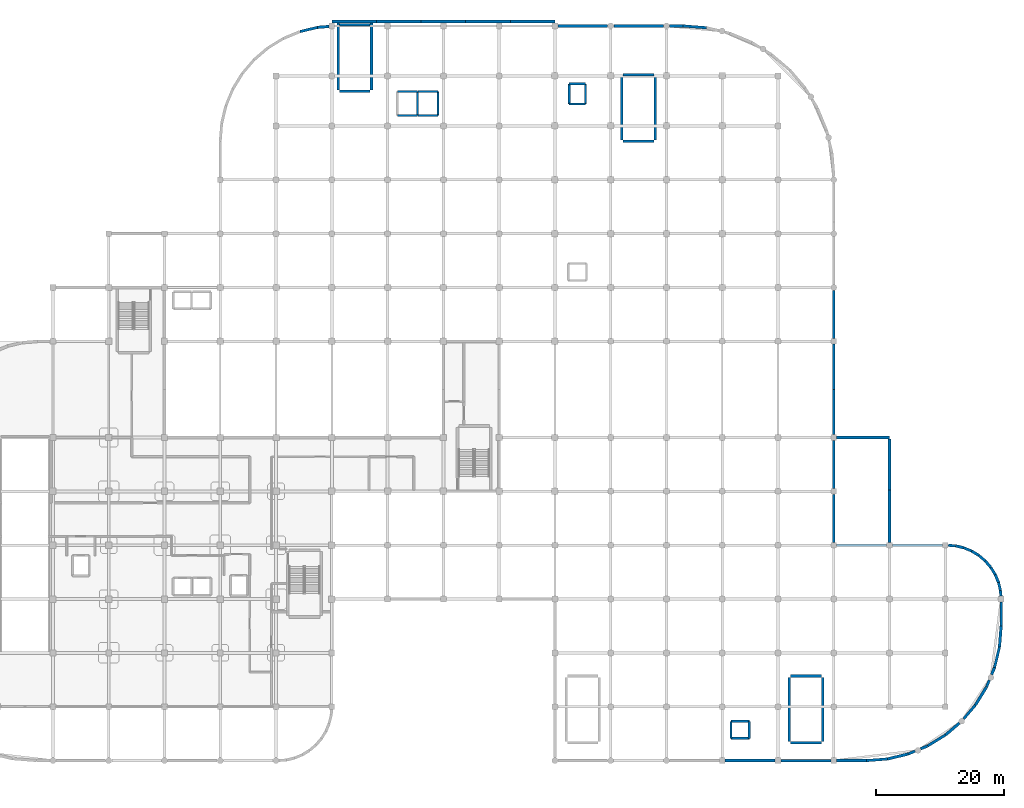
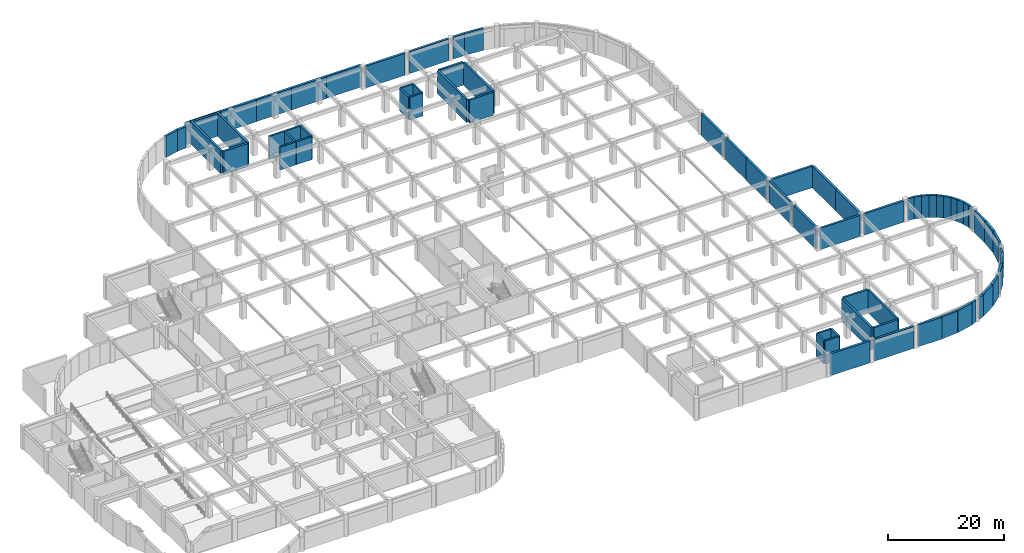
# One storey, part 14 of 19: 73 walls.
"""IFC4 building model written with IfcOpenShell, lengths in metres."""

from ifc_helpers import new_model, si_unit, derived_unit, direction, frame, frame_2d, origin, place, context, subcontext, project, spatial, rectangle, extrude, material, layer, layer_set, type_object, element, save


model = new_model("IFC4")

# Units and contexts
model_context = context("Model", 3, precision=1e-05, world=origin(), true_north=direction((0.0, 1.0)))
body_context = subcontext(model_context, "Body", "Model", "MODEL_VIEW")
ifc_project = project(units=[si_unit("LENGTHUNIT", "METRE"), si_unit("AREAUNIT", "SQUARE_METRE"), si_unit("VOLUMEUNIT", "CUBIC_METRE"), si_unit("PLANEANGLEUNIT", "RADIAN"), si_unit("MASSUNIT", "GRAM", prefix="KILO"), derived_unit("THERMALTRANSMITTANCEUNIT", [(si_unit("MASSUNIT", "GRAM", prefix="KILO"), 1), (si_unit("TIMEUNIT", "SECOND"), -3), (si_unit("THERMODYNAMICTEMPERATUREUNIT", "KELVIN"), -1)])], contexts=[model_context])

# Site, building, storey
site_placement = place(None, origin())
site = spatial("IfcSite", under=ifc_project, at=site_placement, CompositionType="ELEMENT")
building_placement = place(site_placement, origin())
building = spatial("IfcBuilding", under=site, at=building_placement, Name="Qinzheling Arcade Emporium", CompositionType="ELEMENT")
storey_placement = place(building_placement, frame((0.0, 0.0, -4.800048828125)))
storey = spatial("IfcBuildingStorey", under=building, at=storey_placement, Name="B1", CompositionType="ELEMENT", Elevation=-4.800048828125)

# Walls
ifc_material_1 = material(Name="Concrete C40", Category="concrete")
ifc_layer_1 = layer(ifc_material_1, 0.419921875, Name="Concrete C40", Category="concrete")
ifc_layer_set_1 = layer_set([ifc_layer_1], Name="Concrete C40")
wall_type_1 = type_object("IfcWallType", Name="Basement Ramp Retaining Wall 420 C40", PredefinedType="USERDEFINED", material=ifc_layer_set_1)
wall_1_placement = place(storey_placement, frame((64.637939453125, 113.718994140625, 0.0), z_axis=(0.0, 0.0, 1.0), x_axis=(0.972397502496, 0.233330446234, 0.0)))
element("IfcWall", 1, at=wall_1_placement, inside=storey, type_object=wall_type_1, Name="Retaining Wall WL-B1-RW-228", ObjectType="RETAININGWALL", PredefinedType="USERDEFINED", context=body_context, shape_type="SweptSolid", body=[
    extrude(rectangle(XDim=2.823974609375, YDim=0.419921875, at=frame_2d((1.412109375, 0.0))), origin(), (0.0, 0.0, 1.0), 4.4599609375),
])
wall_2_placement = place(storey_placement, frame((69.60009765625, 115.300048828125, 0.0), z_axis=(0.0, 0.0, 1.0), x_axis=(1.0, 0.0, 0.0)))
element("IfcWall", 2, at=wall_2_placement, inside=storey, type_object=wall_type_1, Name="Retaining Wall WL-B1-RW-230", ObjectType="RETAININGWALL", PredefinedType="USERDEFINED", context=body_context, shape_type="SweptSolid", body=[
    extrude(rectangle(XDim=6.9580078125, YDim=0.419921875, at=frame_2d((3.47900390625, 0.0))), origin(), (0.0, 0.0, 1.0), 4.580078125),
])
wall_3_placement = place(storey_placement, frame((83.52197265625, 115.300048828125, 0.0), z_axis=(0.0, 0.0, 1.0), x_axis=(1.0, 0.0, 0.0)))
element("IfcWall", 3, at=wall_3_placement, inside=storey, type_object=wall_type_1, Name="Retaining Wall WL-B1-RW-232", ObjectType="RETAININGWALL", PredefinedType="USERDEFINED", context=body_context, shape_type="SweptSolid", body=[
    extrude(rectangle(XDim=6.9560546875, YDim=0.419921875, at=frame_2d((3.47802734375, 0.0))), origin(), (0.0, 0.0, 1.0), 4.580078125),
])
wall_4_placement = place(storey_placement, frame((97.44189453125, 115.300048828125, 0.0), z_axis=(0.0, 0.0, 1.0), x_axis=(1.0, 0.0, 0.0)))
element("IfcWall", 4, at=wall_4_placement, inside=storey, type_object=wall_type_1, Name="Retaining Wall WL-B1-RW-234", ObjectType="RETAININGWALL", PredefinedType="USERDEFINED", context=body_context, shape_type="SweptSolid", body=[
    extrude(rectangle(XDim=6.9580078125, YDim=0.419921875, at=frame_2d((3.47900390625, 0.0))), origin(), (0.0, 0.0, 1.0), 4.580078125),
])
wall_5_placement = place(storey_placement, frame((113.576904296875, 114.60009765625, 0.0), z_axis=(0.0, 0.0, 1.0), x_axis=(1.0, 0.0, 0.0)))
element("IfcWall", 5, at=wall_5_placement, inside=storey, type_object=wall_type_1, Name="Retaining Wall WL-B1-RW-236", ObjectType="RETAININGWALL", PredefinedType="USERDEFINED", context=body_context, shape_type="SweptSolid", body=[
    extrude(rectangle(XDim=7.74609375, YDim=0.419921875, at=frame_2d((3.873046875, 0.0))), origin(), (0.0, 0.0, 1.0), 4.580078125),
])
wall_6_placement = place(storey_placement, frame((124.39990234375, 114.60009765625, 0.0), z_axis=(0.0, 0.0, 1.0), x_axis=(0.996922570338, -0.078392529938, 0.0)))
element("IfcWall", 6, at=wall_6_placement, inside=storey, type_object=wall_type_1, Name="Retaining Wall WL-B1-RW-238", ObjectType="RETAININGWALL", PredefinedType="USERDEFINED", context=body_context, shape_type="SweptSolid", body=[
    extrude(rectangle(XDim=3.687255859375, YDim=0.419921875, at=frame_2d((1.84375, 0.0))), origin(), (0.0, 0.0, 1.0), 4.580078125),
])
wall_7_placement = place(storey_placement, frame((147.89990234375, 64.947998046875, 0.0), z_axis=(0.0, 0.0, 1.0), x_axis=(0.0, -1.0, 0.0)))
element("IfcWall", 7, at=wall_7_placement, inside=storey, type_object=wall_type_1, Name="Retaining Wall WL-B1-RW-256", ObjectType="RETAININGWALL", PredefinedType="USERDEFINED", context=body_context, shape_type="SweptSolid", body=[
    extrude(rectangle(XDim=7.0458984375, YDim=0.419921875, at=frame_2d((3.52294921875, 0.0))), origin(), (0.0, 0.0, 1.0), 4.580078125),
])
wall_8_placement = place(storey_placement, frame((147.89990234375, 49.947998046875, 0.0), z_axis=(0.0, 0.0, 1.0), x_axis=(0.0, -1.0, 0.0)))
element("IfcWall", 8, at=wall_8_placement, inside=storey, type_object=wall_type_1, Name="Retaining Wall WL-B1-RW-258", ObjectType="RETAININGWALL", PredefinedType="USERDEFINED", context=body_context, shape_type="SweptSolid", body=[
    extrude(rectangle(XDim=7.49609375, YDim=0.419921875, at=frame_2d((3.748046875, 0.0))), origin(), (0.0, 0.0, 1.0), 4.580078125),
])
wall_9_placement = place(storey_placement, frame((148.35205078125, 33.60009765625, 0.0), z_axis=(0.0, 0.0, 1.0), x_axis=(1.0, 0.0, 0.0)))
element("IfcWall", 9, at=wall_9_placement, inside=storey, type_object=wall_type_1, Name="Retaining Wall WL-B1-RW-260", ObjectType="RETAININGWALL", PredefinedType="USERDEFINED", context=body_context, shape_type="SweptSolid", body=[
    extrude(rectangle(XDim=7.7958984375, YDim=0.419921875, at=frame_2d((3.89794921875, 0.0))), origin(), (0.0, 0.0, 1.0), 4.4599609375),
])
wall_10_placement = place(storey_placement, frame((165.751953125, 33.587890625, 0.0), z_axis=(0.0, 0.0, 1.0), x_axis=(0.996960108053, -0.077913689117, 0.0)))
element("IfcWall", 10, at=wall_10_placement, inside=storey, type_object=wall_type_1, Name="Retaining Wall WL-B1-RW-262", ObjectType="RETAININGWALL", PredefinedType="USERDEFINED", context=body_context, shape_type="SweptSolid", body=[
    extrude(rectangle(XDim=1.165771484375, YDim=0.419921875, at=frame_2d((0.5830078125, 0.0))), origin(), (0.0, 0.0, 1.0), 4.580078125),
])
for number, where, z_axis, x_axis, name in (
    (11, (168.196044921875, 33.18896484375, 0.0), (0.0, 0.0, 1.0), (0.923782055047, -0.382918679061, 0.0), "Retaining Wall WL-B1-RW-264"),
    (12, (170.537109375, 31.99609375, 0.0), (0.0, 0.0, 1.0), (0.760548893266, -0.649280664237, 0.0), "Retaining Wall WL-B1-RW-266"),
):
    element("IfcWall", number, at=place(storey_placement, frame(where, z_axis=z_axis, x_axis=x_axis)), inside=storey, type_object=wall_type_1, Name=name, ObjectType="RETAININGWALL", PredefinedType="USERDEFINED", context=body_context, shape_type="SweptSolid", body=[
        extrude(rectangle(XDim=1.318603515625, YDim=0.419921875, at=frame_2d((0.6591796875, 0.0))), origin(), (0.0, 0.0, 1.0), 4.580078125),
    ])
wall_11_placement = place(storey_placement, frame((172.39599609375, 30.136962890625, 0.0), z_axis=(0.0, 0.0, 1.0), x_axis=(0.522379477954, -0.852713129378, 0.0)))
element("IfcWall", 13, at=wall_11_placement, inside=storey, type_object=wall_type_1, Name="Retaining Wall WL-B1-RW-268", ObjectType="RETAININGWALL", PredefinedType="USERDEFINED", context=body_context, shape_type="SweptSolid", body=[
    extrude(rectangle(XDim=1.317138671875, YDim=0.419921875, at=frame_2d((0.65869140625, 0.0))), origin(), (0.0, 0.0, 1.0), 4.580078125),
])
wall_12_placement = place(storey_placement, frame((173.589111328125, 27.7958984375, 0.0), z_axis=(0.0, 0.0, 1.0), x_axis=(0.233506018754, -0.972355356444, 0.0)))
element("IfcWall", 14, at=wall_12_placement, inside=storey, type_object=wall_type_1, Name="Retaining Wall WL-B1-RW-270", ObjectType="RETAININGWALL", PredefinedType="USERDEFINED", context=body_context, shape_type="SweptSolid", body=[
    extrude(rectangle(XDim=1.318359375, YDim=0.419921875, at=frame_2d((0.6591796875, 0.0))), origin(), (0.0, 0.0, 1.0), 4.580078125),
])
wall_13_placement = place(storey_placement, frame((174.0, 24.748046875, 0.0), z_axis=(0.0, 0.0, 1.0), x_axis=(0.0, -1.0, 0.0)))
element("IfcWall", 15, at=wall_13_placement, inside=storey, type_object=wall_type_1, Name="Retaining Wall WL-B1-RW-272", ObjectType="RETAININGWALL", PredefinedType="USERDEFINED", context=body_context, shape_type="SweptSolid", body=[
    extrude(rectangle(XDim=3.748046875, YDim=0.419921875, at=frame_2d((1.8740234375, 0.0))), origin(), (0.0, 0.0, 1.0), 4.580078125),
])
wall_14_placement = place(storey_placement, frame((173.740966796875, 17.715087890625, 0.0), z_axis=(0.0, 0.0, 1.0), x_axis=(-0.233389766054, -0.972383266568, 0.0)))
element("IfcWall", 16, at=wall_14_placement, inside=storey, type_object=wall_type_1, Name="Retaining Wall WL-B1-RW-274", ObjectType="RETAININGWALL", PredefinedType="USERDEFINED", context=body_context, shape_type="SweptSolid", body=[
    extrude(rectangle(XDim=3.295166015625, YDim=0.419921875, at=frame_2d((1.6474609375, 0.0))), origin(), (0.0, 0.0, 1.0), 4.580078125),
])
wall_15_placement = place(storey_placement, frame((172.158935546875, 12.548095703125, 0.0), z_axis=(0.0, 0.0, 1.0), x_axis=(-0.382542052981, -0.923938081097, 0.0)))
element("IfcWall", 17, at=wall_15_placement, inside=storey, type_object=wall_type_1, Name="Retaining Wall WL-B1-RW-276", ObjectType="RETAININGWALL", PredefinedType="USERDEFINED", context=body_context, shape_type="SweptSolid", body=[
    extrude(rectangle(XDim=1.171142578125, YDim=0.419921875, at=frame_2d((0.58544921875, 0.0))), origin(), (0.0, 0.0, 1.0), 4.580078125),
])
wall_16_placement = place(storey_placement, frame((169.989013671875, 8.656982421875, 0.0), z_axis=(0.0, 0.0, 1.0), x_axis=(-0.649391930652, -0.760453891044, 0.0)))
element("IfcWall", 18, at=wall_16_placement, inside=storey, type_object=wall_type_1, Name="Retaining Wall WL-B1-RW-278", ObjectType="RETAININGWALL", PredefinedType="USERDEFINED", context=body_context, shape_type="SweptSolid", body=[
    extrude(rectangle(XDim=2.818115234375, YDim=0.419921875, at=frame_2d((1.4091796875, 0.0))), origin(), (0.0, 0.0, 1.0), 4.580078125),
])
wall_17_placement = place(storey_placement, frame((165.343017578125, 4.010986328125, 0.0), z_axis=(0.0, 0.0, 1.0), x_axis=(-0.852570367458, -0.522612445827, 0.0)))
element("IfcWall", 19, at=wall_17_placement, inside=storey, type_object=wall_type_1, Name="Retaining Wall WL-B1-RW-280", ObjectType="RETAININGWALL", PredefinedType="USERDEFINED", context=body_context, shape_type="SweptSolid", body=[
    extrude(rectangle(XDim=3.294921875, YDim=0.419921875, at=frame_2d((1.6474609375, 0.0))), origin(), (0.0, 0.0, 1.0), 4.580078125),
])
wall_18_placement = place(storey_placement, frame((160.571044921875, 1.47607421875, 0.0), z_axis=(0.0, 0.0, 1.0), x_axis=(-0.923938081097, -0.382542052981, 0.0)))
element("IfcWall", 20, at=wall_18_placement, inside=storey, type_object=wall_type_1, Name="Retaining Wall WL-B1-RW-282", ObjectType="RETAININGWALL", PredefinedType="USERDEFINED", context=body_context, shape_type="SweptSolid", body=[
    extrude(rectangle(XDim=1.171142578125, YDim=0.419921875, at=frame_2d((0.58544921875, 0.0))), origin(), (0.0, 0.0, 1.0), 4.580078125),
])
wall_19_placement = place(storey_placement, frame((156.284912109375, 0.259033203125, 0.0), z_axis=(0.0, 0.0, 1.0), x_axis=(-0.996905334408, -0.078611412843, 0.0)))
element("IfcWall", 21, at=wall_19_placement, inside=storey, type_object=wall_type_1, Name="Retaining Wall WL-B1-RW-284", ObjectType="RETAININGWALL", PredefinedType="USERDEFINED", context=body_context, shape_type="SweptSolid", body=[
    extrude(rectangle(XDim=3.295166015625, YDim=0.419921875, at=frame_2d((1.6474609375, 0.0))), origin(), (0.0, 0.0, 1.0), 4.580078125),
])
wall_20_placement = place(storey_placement, frame((147.447998046875, 0.0, 0.0), z_axis=(0.0, 0.0, 1.0), x_axis=(-1.0, 0.0, 0.0)))
element("IfcWall", 22, at=wall_20_placement, inside=storey, type_object=wall_type_1, Name="Retaining Wall WL-B1-RW-286", ObjectType="RETAININGWALL", PredefinedType="USERDEFINED", context=body_context, shape_type="SweptSolid", body=[
    extrude(rectangle(XDim=7.7958984375, YDim=0.419921875, at=frame_2d((3.89794921875, 0.0))), origin(), (0.0, 0.0, 1.0), 4.580078125),
])
ifc_layer_2 = layer(ifc_material_1, 0.35009765625, Name="Concrete C40", Category="concrete")
ifc_layer_set_2 = layer_set([ifc_layer_2], Name="Concrete C40")
wall_type_2 = type_object("IfcWallType", Name="RC Lift Shaft Shear Wall 350 C40", PredefinedType="SHEAR", material=ifc_layer_set_2)
for number, where, z_axis, x_axis, name in (
    (23, (106.625, 105.574951171875, 0.0), (0.0, 0.0, 1.0), (1.0, 0.0, 0.0), "Lift Shaft Wall WL-B1-LFT-LF03-N"),
    (24, (109.175048828125, 102.425048828125, 0.0), (0.0, 0.0, 1.0), (-1.0, 0.0, 0.0), "Lift Shaft Wall WL-B1-LFT-LF03-S"),
):
    element("IfcWall", number, at=place(storey_placement, frame(where, z_axis=z_axis, x_axis=x_axis)), inside=storey, type_object=wall_type_2, Name=name, PredefinedType="SHEAR", context=body_context, shape_type="SweptSolid", body=[
        extrude(rectangle(XDim=2.550048828125, YDim=0.35009765625, at=frame_2d((1.27490234375, 0.0))), origin(), (0.0, 0.0, 1.0), 4.800048828125),
    ])
for number, where, z_axis, x_axis, name in (
    (25, (106.625, 102.425048828125, 0.0), (0.0, 0.0, 1.0), (0.0, 1.0, 0.0), "Lift Shaft Wall WL-B1-LFT-LF03-W"),
    (26, (109.175048828125, 105.574951171875, 0.0), (0.0, 0.0, 1.0), (0.0, -1.0, 0.0), "Lift Shaft Wall WL-B1-LFT-LF03-E"),
):
    element("IfcWall", number, at=place(storey_placement, frame(where, z_axis=z_axis, x_axis=x_axis)), inside=storey, type_object=wall_type_2, Name=name, PredefinedType="SHEAR", context=body_context, shape_type="SweptSolid", body=[
        extrude(rectangle(XDim=3.14990234375, YDim=0.35009765625, at=frame_2d((1.574951171875, 0.0))), origin(), (0.0, 0.0, 1.0), 4.800048828125),
    ])
for number, where, z_axis, x_axis, name in (
    (27, (131.875, 6.125, 0.0), (0.0, 0.0, 1.0), (1.0, 0.0, 0.0), "Lift Shaft Wall WL-B1-LFT-LP05-N"),
    (28, (134.72509765625, 3.47509765625, 0.0), (0.0, 0.0, 1.0), (-1.0, 0.0, 0.0), "Lift Shaft Wall WL-B1-LFT-LP05-S"),
):
    element("IfcWall", number, at=place(storey_placement, frame(where, z_axis=z_axis, x_axis=x_axis)), inside=storey, type_object=wall_type_2, Name=name, PredefinedType="SHEAR", context=body_context, shape_type="SweptSolid", body=[
        extrude(rectangle(XDim=2.85009765625, YDim=0.35009765625, at=frame_2d((1.425048828125, 0.0))), origin(), (0.0, 0.0, 1.0), 4.800048828125),
    ])
for number, where, z_axis, x_axis, name in (
    (29, (131.875, 3.47509765625, 0.0), (0.0, 0.0, 1.0), (0.0, 1.0, 0.0), "Lift Shaft Wall WL-B1-LFT-LP05-W"),
    (30, (134.72509765625, 6.125, 0.0), (0.0, 0.0, 1.0), (0.0, -1.0, 0.0), "Lift Shaft Wall WL-B1-LFT-LP05-E"),
):
    element("IfcWall", number, at=place(storey_placement, frame(where, z_axis=z_axis, x_axis=x_axis)), inside=storey, type_object=wall_type_2, Name=name, PredefinedType="SHEAR", context=body_context, shape_type="SweptSolid", body=[
        extrude(rectangle(XDim=2.64990234375, YDim=0.35009765625, at=frame_2d((1.324951171875, 0.0))), origin(), (0.0, 0.0, 1.0), 4.800048828125),
    ])
for number, where, z_axis, x_axis, name in (
    (31, (79.824951171875, 104.375, 0.0), (0.0, 0.0, 1.0), (1.0, 0.0, 0.0), "Lift Shaft Wall WL-B1-LFT-LG01-N"),
    (32, (82.97509765625, 100.625, 0.0), (0.0, 0.0, 1.0), (-1.0, 0.0, 0.0), "Lift Shaft Wall WL-B1-LFT-LG01-S"),
):
    element("IfcWall", number, at=place(storey_placement, frame(where, z_axis=z_axis, x_axis=x_axis)), inside=storey, type_object=wall_type_2, Name=name, PredefinedType="SHEAR", context=body_context, shape_type="SweptSolid", body=[
        extrude(rectangle(XDim=3.150146484375, YDim=0.35009765625, at=frame_2d((1.5751953125, 0.0))), origin(), (0.0, 0.0, 1.0), 4.800048828125),
    ])
wall_21_placement = place(storey_placement, frame((82.97509765625, 104.375, 0.0), z_axis=(0.0, 0.0, 1.0), x_axis=(0.0, -1.0, 0.0)))
element("IfcWall", 33, at=wall_21_placement, inside=storey, type_object=wall_type_2, Name="Lift Shaft Wall WL-B1-LFT-LG01-E", PredefinedType="SHEAR", context=body_context, shape_type="SweptSolid", body=[
    extrude(rectangle(XDim=3.75, YDim=0.35009765625, at=frame_2d((1.875, 0.0))), origin(), (0.0, 0.0, 1.0), 4.800048828125),
])
for number, where, z_axis, x_axis, name in (
    (34, (83.02490234375, 104.375, 0.0), (0.0, 0.0, 1.0), (1.0, 0.0, 0.0), "Lift Shaft Wall WL-B1-LFT-LG02-N"),
    (35, (86.175048828125, 100.625, 0.0), (0.0, 0.0, 1.0), (-1.0, 0.0, 0.0), "Lift Shaft Wall WL-B1-LFT-LG02-S"),
):
    element("IfcWall", number, at=place(storey_placement, frame(where, z_axis=z_axis, x_axis=x_axis)), inside=storey, type_object=wall_type_2, Name=name, PredefinedType="SHEAR", context=body_context, shape_type="SweptSolid", body=[
        extrude(rectangle(XDim=3.150146484375, YDim=0.35009765625, at=frame_2d((1.5751953125, 0.0))), origin(), (0.0, 0.0, 1.0), 4.800048828125),
    ])
wall_22_placement = place(storey_placement, frame((86.175048828125, 104.375, 0.0), z_axis=(0.0, 0.0, 1.0), x_axis=(0.0, -1.0, 0.0)))
element("IfcWall", 36, at=wall_22_placement, inside=storey, type_object=wall_type_2, Name="Lift Shaft Wall WL-B1-LFT-LG02-E", PredefinedType="SHEAR", context=body_context, shape_type="SweptSolid", body=[
    extrude(rectangle(XDim=3.75, YDim=0.35009765625, at=frame_2d((1.875, 0.0))), origin(), (0.0, 0.0, 1.0), 4.800048828125),
])
ifc_material_2 = material(Name="Concrete C50", Category="concrete")
ifc_layer_3 = layer(ifc_material_2, 0.39990234375, Name="Concrete C50", Category="concrete")
ifc_layer_set_3 = layer_set([ifc_layer_3], Name="Concrete C50")
wall_type_3 = type_object("IfcWallType", Name="RC Stair Core Shear Wall 400 C50", PredefinedType="SHEAR", material=ifc_layer_set_3)
for number, where, z_axis, x_axis, name in (
    (37, (140.955078125, 3.0, 0.0), (0.0, 0.0, 1.0), (0.0, 1.0, 0.0), "Stair Core Wall WL-B1-ST06-WEST"),
    (38, (146.14501953125, 13.0, 0.0), (0.0, 0.0, 1.0), (0.0, -1.0, 0.0), "Stair Core Wall WL-B1-ST06-EAST"),
):
    element("IfcWall", number, at=place(storey_placement, frame(where, z_axis=z_axis, x_axis=x_axis)), inside=storey, type_object=wall_type_3, Name=name, PredefinedType="SHEAR", context=body_context, shape_type="SweptSolid", body=[
        extrude(rectangle(XDim=10.0, YDim=0.39990234375, at=frame_2d((5.0, 0.0))), origin(), (0.0, 0.0, 1.0), 4.800048828125),
    ])
for number, where, z_axis, x_axis, name in (
    (39, (145.945068359375, 2.800048828125, 0.0), (0.0, 0.0, 1.0), (-1.0, 0.0, 0.0), "Stair Core Wall WL-B1-ST06-SOUTH"),
    (40, (141.155029296875, 13.199951171875, 0.0), (0.0, 0.0, 1.0), (1.0, 0.0, 0.0), "Stair Core Wall WL-B1-ST06-NORTH"),
):
    element("IfcWall", number, at=place(storey_placement, frame(where, z_axis=z_axis, x_axis=x_axis)), inside=storey, type_object=wall_type_3, Name=name, PredefinedType="SHEAR", context=body_context, shape_type="SweptSolid", body=[
        extrude(rectangle(XDim=4.7900390625, YDim=0.39990234375, at=frame_2d((2.39501953125, 0.0))), origin(), (0.0, 0.0, 1.0), 4.800048828125),
    ])
for number, where, z_axis, x_axis, name in (
    (41, (70.60009765625, 104.60009765625, 0.0), (0.0, 0.0, 1.0), (0.0, 1.0, 0.0), "Stair Core Wall WL-B1-ST07-WEST"),
    (42, (75.7900390625, 115.10009765625, 0.0), (0.0, 0.0, 1.0), (0.0, -1.0, 0.0), "Stair Core Wall WL-B1-ST07-EAST"),
):
    element("IfcWall", number, at=place(storey_placement, frame(where, z_axis=z_axis, x_axis=x_axis)), inside=storey, type_object=wall_type_3, Name=name, PredefinedType="SHEAR", context=body_context, shape_type="SweptSolid", body=[
        extrude(rectangle(XDim=10.5, YDim=0.39990234375, at=frame_2d((5.25, 0.0))), origin(), (0.0, 0.0, 1.0), 4.800048828125),
    ])
for number, where, z_axis, x_axis, name in (
    (43, (75.590087890625, 104.39990234375, 0.0), (0.0, 0.0, 1.0), (-1.0, 0.0, 0.0), "Stair Core Wall WL-B1-ST07-SOUTH"),
    (44, (70.800048828125, 114.800048828125, 0.0), (0.0, 0.0, 1.0), (1.0, 0.0, 0.0), "Stair Core Wall WL-B1-ST07-NORTH"),
):
    element("IfcWall", number, at=place(storey_placement, frame(where, z_axis=z_axis, x_axis=x_axis)), inside=storey, type_object=wall_type_3, Name=name, PredefinedType="SHEAR", context=body_context, shape_type="SweptSolid", body=[
        extrude(rectangle(XDim=4.7900390625, YDim=0.39990234375, at=frame_2d((2.39501953125, 0.0))), origin(), (0.0, 0.0, 1.0), 4.800048828125),
    ])
for number, where, z_axis, x_axis, name in (
    (45, (114.85498046875, 96.800048828125, 0.0), (0.0, 0.0, 1.0), (0.0, 1.0, 0.0), "Stair Core Wall WL-B1-ST08-WEST"),
    (46, (120.044921875, 106.800048828125, 0.0), (0.0, 0.0, 1.0), (0.0, -1.0, 0.0), "Stair Core Wall WL-B1-ST08-EAST"),
):
    element("IfcWall", number, at=place(storey_placement, frame(where, z_axis=z_axis, x_axis=x_axis)), inside=storey, type_object=wall_type_3, Name=name, PredefinedType="SHEAR", context=body_context, shape_type="SweptSolid", body=[
        extrude(rectangle(XDim=10.0, YDim=0.39990234375, at=frame_2d((5.0, 0.0))), origin(), (0.0, 0.0, 1.0), 4.800048828125),
    ])
for number, where, z_axis, x_axis, name in (
    (47, (119.844970703125, 96.60009765625, 0.0), (0.0, 0.0, 1.0), (-1.0, 0.0, 0.0), "Stair Core Wall WL-B1-ST08-SOUTH"),
    (48, (115.054931640625, 107.0, 0.0), (0.0, 0.0, 1.0), (1.0, 0.0, 0.0), "Stair Core Wall WL-B1-ST08-NORTH"),
):
    element("IfcWall", number, at=place(storey_placement, frame(where, z_axis=z_axis, x_axis=x_axis)), inside=storey, type_object=wall_type_3, Name=name, PredefinedType="SHEAR", context=body_context, shape_type="SweptSolid", body=[
        extrude(rectangle(XDim=4.7900390625, YDim=0.39990234375, at=frame_2d((2.39501953125, 0.0))), origin(), (0.0, 0.0, 1.0), 4.800048828125),
    ])
ifc_layer_4 = layer(ifc_material_1, 0.449951171875, Name="Concrete C40", Category="concrete")
ifc_layer_set_4 = layer_set([ifc_layer_4], Name="Concrete C40")
wall_type_4 = type_object("IfcWallType", Name="Waterproof Basement Retaining Wall 450 C40", PredefinedType="USERDEFINED", material=ifc_layer_set_4)
wall_23_placement = place(storey_placement, frame((67.384033203125, 114.3779296875, 0.0), z_axis=(0.0, 0.0, 1.0), x_axis=(0.996920266217, 0.078421826076, 0.0)))
element("IfcWall", 49, at=wall_23_placement, inside=storey, type_object=wall_type_4, Name="Retaining Wall WL-B1-RW-229", ObjectType="RETAININGWALL", PredefinedType="USERDEFINED", context=body_context, shape_type="SweptSolid", body=[
    extrude(rectangle(XDim=1.7744140625, YDim=0.449951171875, at=frame_2d((0.88720703125, 0.0))), origin(), (0.0, 0.0, 1.0), 4.4599609375),
])
for number, where, z_axis, x_axis, name in (
    (50, (76.56201171875, 115.300048828125, 0.0), (0.0, 0.0, 1.0), (1.0, 0.0, 0.0), "Retaining Wall WL-B1-RW-231"),
    (51, (90.48193359375, 115.300048828125, 0.0), (0.0, 0.0, 1.0), (1.0, 0.0, 0.0), "Retaining Wall WL-B1-RW-233"),
):
    element("IfcWall", number, at=place(storey_placement, frame(where, z_axis=z_axis, x_axis=x_axis)), inside=storey, type_object=wall_type_4, Name=name, ObjectType="RETAININGWALL", PredefinedType="USERDEFINED", context=body_context, shape_type="SweptSolid", body=[
        extrude(rectangle(XDim=6.9560546875, YDim=0.449951171875, at=frame_2d((3.47802734375, 0.0))), origin(), (0.0, 0.0, 1.0), 4.580078125),
    ])
wall_24_placement = place(storey_placement, frame((104.85205078125, 114.60009765625, 0.0), z_axis=(0.0, 0.0, 1.0), x_axis=(1.0, 0.0, 0.0)))
element("IfcWall", 52, at=wall_24_placement, inside=storey, type_object=wall_type_4, Name="Retaining Wall WL-B1-RW-235", ObjectType="RETAININGWALL", PredefinedType="USERDEFINED", context=body_context, shape_type="SweptSolid", body=[
    extrude(rectangle(XDim=7.77099609375, YDim=0.449951171875, at=frame_2d((3.885498046875, 0.0))), origin(), (0.0, 0.0, 1.0), 4.580078125),
])
wall_25_placement = place(storey_placement, frame((122.277099609375, 114.60009765625, 0.0), z_axis=(0.0, 0.0, 1.0), x_axis=(1.0, 0.0, 0.0)))
element("IfcWall", 53, at=wall_25_placement, inside=storey, type_object=wall_type_4, Name="Retaining Wall WL-B1-RW-237", ObjectType="RETAININGWALL", PredefinedType="USERDEFINED", context=body_context, shape_type="SweptSolid", body=[
    extrude(rectangle(XDim=2.122802734375, YDim=0.449951171875, at=frame_2d((1.0615234375, 0.0))), origin(), (0.0, 0.0, 1.0), 4.580078125),
])
wall_26_placement = place(storey_placement, frame((147.89990234375, 73.322998046875, 0.0), z_axis=(0.0, 0.0, 1.0), x_axis=(0.0, -1.0, 0.0)))
element("IfcWall", 54, at=wall_26_placement, inside=storey, type_object=wall_type_4, Name="Retaining Wall WL-B1-RW-255", ObjectType="RETAININGWALL", PredefinedType="USERDEFINED", context=body_context, shape_type="SweptSolid", body=[
    extrude(rectangle(XDim=7.470947265625, YDim=0.449951171875, at=frame_2d((3.7353515625, 0.0))), origin(), (0.0, 0.0, 1.0), 4.580078125),
])
wall_27_placement = place(storey_placement, frame((147.89990234375, 57.89794921875, 0.0), z_axis=(0.0, 0.0, 1.0), x_axis=(0.0, -1.0, 0.0)))
element("IfcWall", 55, at=wall_27_placement, inside=storey, type_object=wall_type_4, Name="Retaining Wall WL-B1-RW-257", ObjectType="RETAININGWALL", PredefinedType="USERDEFINED", context=body_context, shape_type="SweptSolid", body=[
    extrude(rectangle(XDim=7.0458984375, YDim=0.449951171875, at=frame_2d((3.52294921875, 0.0))), origin(), (0.0, 0.0, 1.0), 4.580078125),
])
wall_28_placement = place(storey_placement, frame((147.89990234375, 41.548095703125, 0.0), z_axis=(0.0, 0.0, 1.0), x_axis=(0.0, -1.0, 0.0)))
element("IfcWall", 56, at=wall_28_placement, inside=storey, type_object=wall_type_4, Name="Retaining Wall WL-B1-RW-259", ObjectType="RETAININGWALL", PredefinedType="USERDEFINED", context=body_context, shape_type="SweptSolid", body=[
    extrude(rectangle(XDim=7.49609375, YDim=0.449951171875, at=frame_2d((3.748046875, 0.0))), origin(), (0.0, 0.0, 1.0), 4.580078125),
])
wall_29_placement = place(storey_placement, frame((157.052001953125, 33.60009765625, 0.0), z_axis=(0.0, 0.0, 1.0), x_axis=(1.0, 0.0, 0.0)))
element("IfcWall", 57, at=wall_29_placement, inside=storey, type_object=wall_type_4, Name="Retaining Wall WL-B1-RW-261", ObjectType="RETAININGWALL", PredefinedType="USERDEFINED", context=body_context, shape_type="SweptSolid", body=[
    extrude(rectangle(XDim=7.7958984375, YDim=0.449951171875, at=frame_2d((3.89794921875, 0.0))), origin(), (0.0, 0.0, 1.0), 4.4599609375),
])
wall_30_placement = place(storey_placement, frame((166.9140625, 33.4970703125, 0.0), z_axis=(0.0, 0.0, 1.0), x_axis=(0.972313298303, -0.233681085976, 0.0)))
element("IfcWall", 58, at=wall_30_placement, inside=storey, type_object=wall_type_4, Name="Retaining Wall WL-B1-RW-263", ObjectType="RETAININGWALL", PredefinedType="USERDEFINED", context=body_context, shape_type="SweptSolid", body=[
    extrude(rectangle(XDim=1.318603515625, YDim=0.449951171875, at=frame_2d((0.6591796875, 0.0))), origin(), (0.0, 0.0, 1.0), 4.580078125),
])
wall_31_placement = place(storey_placement, frame((169.4140625, 32.68408203125, 0.0), z_axis=(0.0, 0.0, 1.0), x_axis=(0.852713129378, -0.522379477954, 0.0)))
element("IfcWall", 59, at=wall_31_placement, inside=storey, type_object=wall_type_4, Name="Retaining Wall WL-B1-RW-265", ObjectType="RETAININGWALL", PredefinedType="USERDEFINED", context=body_context, shape_type="SweptSolid", body=[
    extrude(rectangle(XDim=1.317138671875, YDim=0.449951171875, at=frame_2d((0.65869140625, 0.0))), origin(), (0.0, 0.0, 1.0), 4.580078125),
])
for number, where, z_axis, x_axis, name in (
    (60, (171.5400390625, 31.139892578125, 0.0), (0.0, 0.0, 1.0), (0.649173554417, -0.760640319893, 0.0), "Retaining Wall WL-B1-RW-267"),
    (61, (173.083984375, 29.013916015625, 0.0), (0.0, 0.0, 1.0), (0.383076676071, -0.923716547568, 0.0), "Retaining Wall WL-B1-RW-269"),
):
    element("IfcWall", number, at=place(storey_placement, frame(where, z_axis=z_axis, x_axis=x_axis)), inside=storey, type_object=wall_type_4, Name=name, ObjectType="RETAININGWALL", PredefinedType="USERDEFINED", context=body_context, shape_type="SweptSolid", body=[
        extrude(rectangle(XDim=1.318603515625, YDim=0.449951171875, at=frame_2d((0.6591796875, 0.0))), origin(), (0.0, 0.0, 1.0), 4.580078125),
    ])
wall_32_placement = place(storey_placement, frame((173.89697265625, 26.513916015625, 0.0), z_axis=(0.0, 0.0, 1.0), x_axis=(0.078680359479, -0.996899895191, 0.0)))
element("IfcWall", 62, at=wall_32_placement, inside=storey, type_object=wall_type_4, Name="Retaining Wall WL-B1-RW-271", ObjectType="RETAININGWALL", PredefinedType="USERDEFINED", context=body_context, shape_type="SweptSolid", body=[
    extrude(rectangle(XDim=0.86572265625, YDim=0.449951171875, at=frame_2d((0.432861328125, 0.0))), origin(), (0.0, 0.0, 1.0), 4.580078125),
])
wall_33_placement = place(storey_placement, frame((174.0, 21.0, 0.0), z_axis=(0.0, 0.0, 1.0), x_axis=(-0.078611412843, -0.996905334408, 0.0)))
element("IfcWall", 63, at=wall_33_placement, inside=storey, type_object=wall_type_4, Name="Retaining Wall WL-B1-RW-273", ObjectType="RETAININGWALL", PredefinedType="USERDEFINED", context=body_context, shape_type="SweptSolid", body=[
    extrude(rectangle(XDim=3.295166015625, YDim=0.449951171875, at=frame_2d((1.6474609375, 0.0))), origin(), (0.0, 0.0, 1.0), 4.580078125),
])
wall_34_placement = place(storey_placement, frame((172.971923828125, 14.510986328125, 0.0), z_axis=(0.0, 0.0, 1.0), x_axis=(-0.382542052981, -0.923938081097, 0.0)))
element("IfcWall", 64, at=wall_34_placement, inside=storey, type_object=wall_type_4, Name="Retaining Wall WL-B1-RW-275", ObjectType="RETAININGWALL", PredefinedType="USERDEFINED", context=body_context, shape_type="SweptSolid", body=[
    extrude(rectangle(XDim=1.171142578125, YDim=0.449951171875, at=frame_2d((0.58544921875, 0.0))), origin(), (0.0, 0.0, 1.0), 4.580078125),
])
wall_35_placement = place(storey_placement, frame((171.7109375, 11.466064453125, 0.0), z_axis=(0.0, 0.0, 1.0), x_axis=(-0.522612445827, -0.852570367458, 0.0)))
element("IfcWall", 65, at=wall_35_placement, inside=storey, type_object=wall_type_4, Name="Retaining Wall WL-B1-RW-277", ObjectType="RETAININGWALL", PredefinedType="USERDEFINED", context=body_context, shape_type="SweptSolid", body=[
    extrude(rectangle(XDim=3.294921875, YDim=0.449951171875, at=frame_2d((1.6474609375, 0.0))), origin(), (0.0, 0.0, 1.0), 4.580078125),
])
wall_36_placement = place(storey_placement, frame((167.486083984375, 5.841064453125, 0.0), z_axis=(0.0, 0.0, 1.0), x_axis=(-0.760453891044, -0.649391930652, 0.0)))
element("IfcWall", 66, at=wall_36_placement, inside=storey, type_object=wall_type_4, Name="Retaining Wall WL-B1-RW-279", ObjectType="RETAININGWALL", PredefinedType="USERDEFINED", context=body_context, shape_type="SweptSolid", body=[
    extrude(rectangle(XDim=2.818115234375, YDim=0.449951171875, at=frame_2d((1.4091796875, 0.0))), origin(), (0.0, 0.0, 1.0), 4.580078125),
])
wall_37_placement = place(storey_placement, frame((162.533935546875, 2.2890625, 0.0), z_axis=(0.0, 0.0, 1.0), x_axis=(-0.923938081097, -0.382542052981, 0.0)))
element("IfcWall", 67, at=wall_37_placement, inside=storey, type_object=wall_type_4, Name="Retaining Wall WL-B1-RW-281", ObjectType="RETAININGWALL", PredefinedType="USERDEFINED", context=body_context, shape_type="SweptSolid", body=[
    extrude(rectangle(XDim=1.171142578125, YDim=0.449951171875, at=frame_2d((0.58544921875, 0.0))), origin(), (0.0, 0.0, 1.0), 4.580078125),
])
wall_38_placement = place(storey_placement, frame((159.489013671875, 1.028076171875, 0.0), z_axis=(0.0, 0.0, 1.0), x_axis=(-0.972383266568, -0.233389766054, 0.0)))
element("IfcWall", 68, at=wall_38_placement, inside=storey, type_object=wall_type_4, Name="Retaining Wall WL-B1-RW-283", ObjectType="RETAININGWALL", PredefinedType="USERDEFINED", context=body_context, shape_type="SweptSolid", body=[
    extrude(rectangle(XDim=3.295166015625, YDim=0.449951171875, at=frame_2d((1.6474609375, 0.0))), origin(), (0.0, 0.0, 1.0), 4.580078125),
])
wall_39_placement = place(storey_placement, frame((153.0, 0.0, 0.0), z_axis=(0.0, 0.0, 1.0), x_axis=(-1.0, 0.0, 0.0)))
element("IfcWall", 69, at=wall_39_placement, inside=storey, type_object=wall_type_4, Name="Retaining Wall WL-B1-RW-285", ObjectType="RETAININGWALL", PredefinedType="USERDEFINED", context=body_context, shape_type="SweptSolid", body=[
    extrude(rectangle(XDim=4.64794921875, YDim=0.449951171875, at=frame_2d((2.323974609375, 0.0))), origin(), (0.0, 0.0, 1.0), 4.580078125),
])
wall_40_placement = place(storey_placement, frame((138.748046875, 0.0, 0.0), z_axis=(0.0, 0.0, 1.0), x_axis=(-1.0, 0.0, 0.0)))
element("IfcWall", 70, at=wall_40_placement, inside=storey, type_object=wall_type_4, Name="Retaining Wall WL-B1-RW-287", ObjectType="RETAININGWALL", PredefinedType="USERDEFINED", context=body_context, shape_type="SweptSolid", body=[
    extrude(rectangle(XDim=7.796142578125, YDim=0.449951171875, at=frame_2d((3.89794921875, 0.0))), origin(), (0.0, 0.0, 1.0), 4.580078125),
])
wall_41_placement = place(storey_placement, frame((148.35205078125, 50.39990234375, 0.0), z_axis=(0.0, 0.0, 1.0), x_axis=(1.0, 0.0, 0.0)))
element("IfcWall", 71, at=wall_41_placement, inside=storey, type_object=wall_type_4, Name="Hillside Plinth Foundation Wall WL-B1-RW-334", ObjectType="RETAININGWALL", PredefinedType="USERDEFINED", context=body_context, shape_type="SweptSolid", body=[
    extrude(rectangle(XDim=8.248046875, YDim=0.449951171875, at=frame_2d((4.1240234375, 0.0))), origin(), (0.0, 0.0, 1.0), 4.525146484375),
])
wall_42_placement = place(storey_placement, frame((156.60009765625, 50.135009765625, 0.0), z_axis=(0.0, 0.0, 1.0), x_axis=(0.0, -1.0, 0.0)))
element("IfcWall", 72, at=wall_42_placement, inside=storey, type_object=wall_type_4, Name="Hillside Plinth Foundation Wall WL-B1-RW-337", ObjectType="RETAININGWALL", PredefinedType="USERDEFINED", context=body_context, shape_type="SweptSolid", body=[
    extrude(rectangle(XDim=7.906982421875, YDim=0.449951171875, at=frame_2d((3.95361328125, 0.0))), origin(), (0.0, 0.0, 1.0), 4.525146484375),
])
wall_43_placement = place(storey_placement, frame((156.60009765625, 42.22412109375, 0.0), z_axis=(0.0, 0.0, 1.0), x_axis=(0.0, -1.0, 0.0)))
element("IfcWall", 73, at=wall_43_placement, inside=storey, type_object=wall_type_4, Name="Hillside Plinth Foundation Wall WL-B1-RW-338", ObjectType="RETAININGWALL", PredefinedType="USERDEFINED", context=body_context, shape_type="SweptSolid", body=[
    extrude(rectangle(XDim=8.172119140625, YDim=0.449951171875, at=frame_2d((4.0859375, 0.0))), origin(), (0.0, 0.0, 1.0), 4.525146484375),
])

save(model, "model.ifc")
